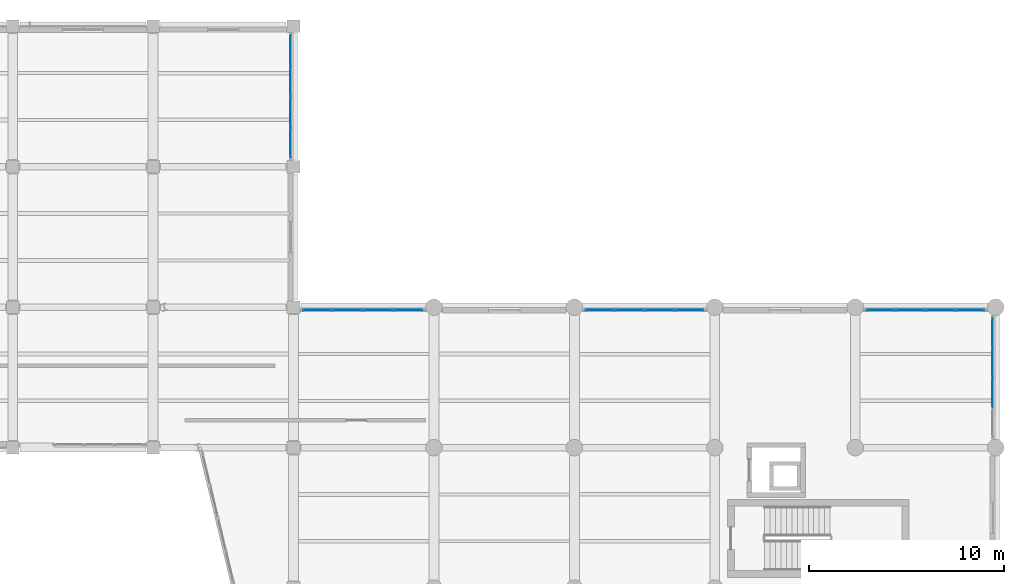
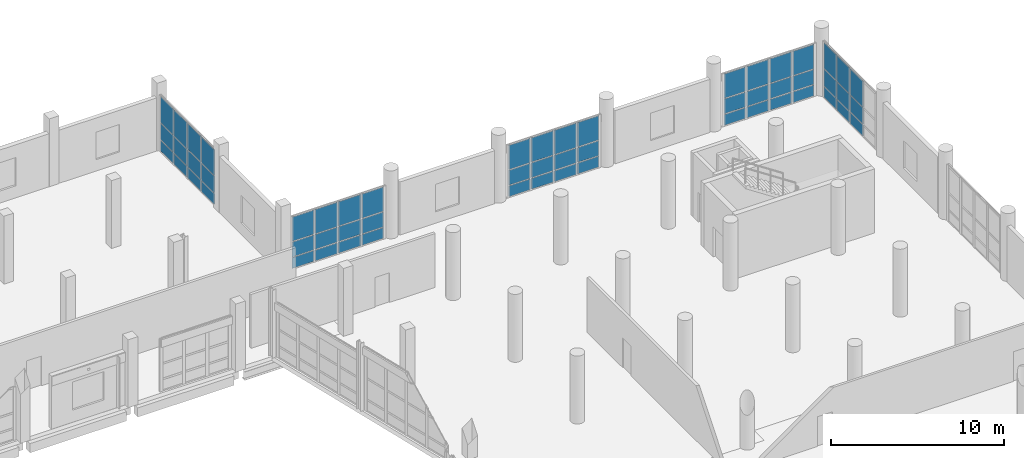
# One storey, part 87 of 127: 57 plates, 5 elements without a shape of their own.
"""IFC4 building model written with IfcOpenShell, lengths in metres."""

from ifc_helpers import new_model, si_unit, direction, frame, origin, origin_2d, place, context, subcontext, project, spatial, rectangle, extrude, material, layer, layer_set, type_object, element, aggregate, save


model = new_model("IFC4")

# Units and contexts
model_context = context("Model", 3, precision=1e-05, world=origin(), true_north=direction((0.0, 1.0)))
body_context = subcontext(model_context, "Body", "Model", "MODEL_VIEW")
ifc_project = project(units=[si_unit("LENGTHUNIT", "METRE"), si_unit("AREAUNIT", "SQUARE_METRE"), si_unit("VOLUMEUNIT", "CUBIC_METRE"), si_unit("PLANEANGLEUNIT", "RADIAN"), si_unit("MASSUNIT", "GRAM", prefix="KILO")], contexts=[model_context])

# Site, building, storey
site_placement = place(None, origin())
site = spatial("IfcSite", under=ifc_project, at=site_placement, CompositionType="ELEMENT")
building_placement = place(site_placement, origin())
building = spatial("IfcBuilding", under=site, at=building_placement, Name="Kalmorath City Hall", CompositionType="ELEMENT")
storey_placement = place(building_placement, frame((0.0, 0.0, 5.39990234375)))
storey = spatial("IfcBuildingStorey", under=building, at=storey_placement, Name="L01", CompositionType="ELEMENT", Elevation=5.39990234375)

# Curtain wall, plates
ifc_material_1 = material(Name="Anodised aluminium and laminated glass", Category="aluminium")
curtain_wall_type_1 = type_object("IfcCurtainWallType", Name="Unitised hurricane curtain wall 6370x3976 M1650", PredefinedType="NOTDEFINED", material=ifc_material_1)
curtain_wall_1_placement = place(storey_placement, origin())
curtain_wall_1 = element("IfcCurtainWall", 1, at=curtain_wall_1_placement, inside=storey, type_object=curtain_wall_type_1, Name="L01 curtain wall CW-64X40M16 #59", PredefinedType="NOTDEFINED")
ifc_material_2 = material(Name="Hurricane laminated low-E glass", Category="glass")
ifc_layer = layer(ifc_material_2, 0.035888671875)
ifc_layer_set = layer_set([ifc_layer], Name="Hurricane laminated low-E glass")
plate_type = type_object("IfcPlateType", Name="Library acoustic low-E glazed panel 36", PredefinedType="CURTAIN_PANEL", material=ifc_layer_set)
plate_1_placement = place(storey_placement, frame((129.43994140625, 113.969970703125, 0.06005859375), z_axis=(0.0, 0.0, 1.0), x_axis=(0.0, -1.0, 0.0)))
plate_1 = element("IfcPlate", 2, at=plate_1_placement, type_object=plate_type, Name="CW-64X40M16 panel 1.1", PredefinedType="CURTAIN_PANEL", context=body_context, shape_type="SweptSolid", body=[
    extrude(rectangle(XDim=1.47998046875, YDim=0.035888671875, at=origin_2d()), origin(), (0.0, 0.0, 1.0), 0.760009765625),
])
plate_2_placement = place(storey_placement, frame((129.43994140625, 113.969970703125, 0.8798828125), z_axis=(0.0, 0.0, 1.0), x_axis=(0.0, -1.0, 0.0)))
plate_2 = element("IfcPlate", 3, at=plate_2_placement, type_object=plate_type, Name="CW-64X40M16 panel 1.2", PredefinedType="CURTAIN_PANEL", context=body_context, shape_type="SweptSolid", body=[
    extrude(rectangle(XDim=1.47998046875, YDim=0.035888671875, at=origin_2d()), origin(), (0.0, 0.0, 1.0), 1.157958984375),
])
plate_3_placement = place(storey_placement, frame((129.43994140625, 113.969970703125, 2.09814453125), z_axis=(0.0, 0.0, 1.0), x_axis=(0.0, -1.0, 0.0)))
plate_3 = element("IfcPlate", 4, at=plate_3_placement, type_object=plate_type, Name="CW-64X40M16 panel 1.3", PredefinedType="CURTAIN_PANEL", context=body_context, shape_type="SweptSolid", body=[
    extrude(rectangle(XDim=1.47998046875, YDim=0.035888671875, at=origin_2d()), origin(), (0.0, 0.0, 1.0), 1.818115234375),
])
plate_4_placement = place(storey_placement, frame((129.43994140625, 112.396240234375, 0.06005859375), z_axis=(0.0, 0.0, 1.0), x_axis=(0.0, -1.0, 0.0)))
plate_4 = element("IfcPlate", 5, at=plate_4_placement, type_object=plate_type, Name="CW-64X40M16 panel 2.1", PredefinedType="CURTAIN_PANEL", context=body_context, shape_type="SweptSolid", body=[
    extrude(rectangle(XDim=1.517578125, YDim=0.035888671875, at=origin_2d()), origin(), (0.0, 0.0, 1.0), 0.760009765625),
])
plate_5_placement = place(storey_placement, frame((129.43994140625, 112.396240234375, 0.8798828125), z_axis=(0.0, 0.0, 1.0), x_axis=(0.0, -1.0, 0.0)))
plate_5 = element("IfcPlate", 6, at=plate_5_placement, type_object=plate_type, Name="CW-64X40M16 panel 2.2", PredefinedType="CURTAIN_PANEL", context=body_context, shape_type="SweptSolid", body=[
    extrude(rectangle(XDim=1.517578125, YDim=0.035888671875, at=origin_2d()), origin(), (0.0, 0.0, 1.0), 1.157958984375),
])
plate_6_placement = place(storey_placement, frame((129.43994140625, 112.396240234375, 2.09814453125), z_axis=(0.0, 0.0, 1.0), x_axis=(0.0, -1.0, 0.0)))
plate_6 = element("IfcPlate", 7, at=plate_6_placement, type_object=plate_type, Name="CW-64X40M16 panel 2.3", PredefinedType="CURTAIN_PANEL", context=body_context, shape_type="SweptSolid", body=[
    extrude(rectangle(XDim=1.517578125, YDim=0.035888671875, at=origin_2d()), origin(), (0.0, 0.0, 1.0), 1.818115234375),
])
plate_7_placement = place(storey_placement, frame((129.43994140625, 110.8037109375, 0.06005859375), z_axis=(0.0, 0.0, 1.0), x_axis=(0.0, -1.0, 0.0)))
plate_7 = element("IfcPlate", 8, at=plate_7_placement, type_object=plate_type, Name="CW-64X40M16 panel 3.1", PredefinedType="CURTAIN_PANEL", context=body_context, shape_type="SweptSolid", body=[
    extrude(rectangle(XDim=1.517578125, YDim=0.035888671875, at=origin_2d()), origin(), (0.0, 0.0, 1.0), 0.760009765625),
])
plate_8_placement = place(storey_placement, frame((129.43994140625, 110.8037109375, 0.8798828125), z_axis=(0.0, 0.0, 1.0), x_axis=(0.0, -1.0, 0.0)))
plate_8 = element("IfcPlate", 9, at=plate_8_placement, type_object=plate_type, Name="CW-64X40M16 panel 3.2", PredefinedType="CURTAIN_PANEL", context=body_context, shape_type="SweptSolid", body=[
    extrude(rectangle(XDim=1.517578125, YDim=0.035888671875, at=origin_2d()), origin(), (0.0, 0.0, 1.0), 1.157958984375),
])
plate_9_placement = place(storey_placement, frame((129.43994140625, 110.8037109375, 2.09814453125), z_axis=(0.0, 0.0, 1.0), x_axis=(0.0, -1.0, 0.0)))
plate_9 = element("IfcPlate", 10, at=plate_9_placement, type_object=plate_type, Name="CW-64X40M16 panel 3.3", PredefinedType="CURTAIN_PANEL", context=body_context, shape_type="SweptSolid", body=[
    extrude(rectangle(XDim=1.517578125, YDim=0.035888671875, at=origin_2d()), origin(), (0.0, 0.0, 1.0), 1.818115234375),
])
plate_10_placement = place(storey_placement, frame((129.43994140625, 109.22998046875, 0.06005859375), z_axis=(0.0, 0.0, 1.0), x_axis=(0.0, -1.0, 0.0)))
plate_10 = element("IfcPlate", 11, at=plate_10_placement, type_object=plate_type, Name="CW-64X40M16 panel 4.1", PredefinedType="CURTAIN_PANEL", context=body_context, shape_type="SweptSolid", body=[
    extrude(rectangle(XDim=1.47998046875, YDim=0.035888671875, at=origin_2d()), origin(), (0.0, 0.0, 1.0), 0.760009765625),
])
plate_11_placement = place(storey_placement, frame((129.43994140625, 109.22998046875, 0.8798828125), z_axis=(0.0, 0.0, 1.0), x_axis=(0.0, -1.0, 0.0)))
plate_11 = element("IfcPlate", 12, at=plate_11_placement, type_object=plate_type, Name="CW-64X40M16 panel 4.2", PredefinedType="CURTAIN_PANEL", context=body_context, shape_type="SweptSolid", body=[
    extrude(rectangle(XDim=1.47998046875, YDim=0.035888671875, at=origin_2d()), origin(), (0.0, 0.0, 1.0), 1.157958984375),
])
plate_12_placement = place(storey_placement, frame((129.43994140625, 109.22998046875, 2.09814453125), z_axis=(0.0, 0.0, 1.0), x_axis=(0.0, -1.0, 0.0)))
plate_12 = element("IfcPlate", 13, at=plate_12_placement, type_object=plate_type, Name="CW-64X40M16 panel 4.3", PredefinedType="CURTAIN_PANEL", context=body_context, shape_type="SweptSolid", body=[
    extrude(rectangle(XDim=1.47998046875, YDim=0.035888671875, at=origin_2d()), origin(), (0.0, 0.0, 1.0), 1.818115234375),
])
aggregate(curtain_wall_1, [plate_1, plate_2, plate_3, plate_4, plate_5, plate_6, plate_7, plate_8, plate_9, plate_10, plate_11, plate_12])

ifc_material_3 = material(Name="Anodised aluminium and laminated glass", Category="aluminium")
curtain_wall_type_2 = type_object("IfcCurtainWallType", Name="Unitised hurricane curtain wall 6270x3751 M1650", PredefinedType="NOTDEFINED", material=ifc_material_3)
curtain_wall_2_placement = place(storey_placement, origin())
curtain_wall_2 = element("IfcCurtainWall", 14, at=curtain_wall_2_placement, inside=storey, type_object=curtain_wall_type_2, Name="L01 curtain wall CW-63X38M16 #60", PredefinedType="NOTDEFINED")
plate_13_placement = place(storey_placement, frame((130.8173828125, 100.639892578125, 0.06005859375), z_axis=(0.0, 0.0, 1.0), x_axis=(1.0, 0.0, 0.0)))
plate_13 = element("IfcPlate", 15, at=plate_13_placement, type_object=plate_type, Name="CW-63X38M16 panel 1.1", PredefinedType="CURTAIN_PANEL", context=body_context, shape_type="SweptSolid", body=[
    extrude(rectangle(XDim=1.455078125, YDim=0.035888671875, at=origin_2d()), origin(), (0.0, 0.0, 1.0), 0.760009765625),
])
plate_14_placement = place(storey_placement, frame((130.8173828125, 100.639892578125, 0.880126953125), z_axis=(0.0, 0.0, 1.0), x_axis=(1.0, 0.0, 0.0)))
plate_14 = element("IfcPlate", 16, at=plate_14_placement, type_object=plate_type, Name="CW-63X38M16 panel 1.2", PredefinedType="CURTAIN_PANEL", context=body_context, shape_type="SweptSolid", body=[
    extrude(rectangle(XDim=1.455078125, YDim=0.035888671875, at=origin_2d()), origin(), (0.0, 0.0, 1.0), 1.041015625),
])
plate_15_placement = place(storey_placement, frame((130.8173828125, 100.639892578125, 1.981201171875), z_axis=(0.0, 0.0, 1.0), x_axis=(1.0, 0.0, 0.0)))
plate_15 = element("IfcPlate", 17, at=plate_15_placement, type_object=plate_type, Name="CW-63X38M16 panel 1.3", PredefinedType="CURTAIN_PANEL", context=body_context, shape_type="SweptSolid", body=[
    extrude(rectangle(XDim=1.455078125, YDim=0.035888671875, at=origin_2d()), origin(), (0.0, 0.0, 1.0), 1.7099609375),
])
plate_16_placement = place(storey_placement, frame((132.3662109375, 100.639892578125, 0.06005859375), z_axis=(0.0, 0.0, 1.0), x_axis=(1.0, 0.0, 0.0)))
plate_16 = element("IfcPlate", 18, at=plate_16_placement, type_object=plate_type, Name="CW-63X38M16 panel 2.1", PredefinedType="CURTAIN_PANEL", context=body_context, shape_type="SweptSolid", body=[
    extrude(rectangle(XDim=1.492431640625, YDim=0.035888671875, at=origin_2d()), origin(), (0.0, 0.0, 1.0), 0.760009765625),
])
plate_17_placement = place(storey_placement, frame((132.3662109375, 100.639892578125, 0.880126953125), z_axis=(0.0, 0.0, 1.0), x_axis=(1.0, 0.0, 0.0)))
plate_17 = element("IfcPlate", 19, at=plate_17_placement, type_object=plate_type, Name="CW-63X38M16 panel 2.2", PredefinedType="CURTAIN_PANEL", context=body_context, shape_type="SweptSolid", body=[
    extrude(rectangle(XDim=1.492431640625, YDim=0.035888671875, at=origin_2d()), origin(), (0.0, 0.0, 1.0), 1.041015625),
])
plate_18_placement = place(storey_placement, frame((132.3662109375, 100.639892578125, 1.981201171875), z_axis=(0.0, 0.0, 1.0), x_axis=(1.0, 0.0, 0.0)))
plate_18 = element("IfcPlate", 20, at=plate_18_placement, type_object=plate_type, Name="CW-63X38M16 panel 2.3", PredefinedType="CURTAIN_PANEL", context=body_context, shape_type="SweptSolid", body=[
    extrude(rectangle(XDim=1.492431640625, YDim=0.035888671875, at=origin_2d()), origin(), (0.0, 0.0, 1.0), 1.7099609375),
])
plate_19_placement = place(storey_placement, frame((133.933837890625, 100.639892578125, 0.06005859375), z_axis=(0.0, 0.0, 1.0), x_axis=(1.0, 0.0, 0.0)))
plate_19 = element("IfcPlate", 21, at=plate_19_placement, type_object=plate_type, Name="CW-63X38M16 panel 3.1", PredefinedType="CURTAIN_PANEL", context=body_context, shape_type="SweptSolid", body=[
    extrude(rectangle(XDim=1.492431640625, YDim=0.035888671875, at=origin_2d()), origin(), (0.0, 0.0, 1.0), 0.760009765625),
])
plate_20_placement = place(storey_placement, frame((133.933837890625, 100.639892578125, 0.880126953125), z_axis=(0.0, 0.0, 1.0), x_axis=(1.0, 0.0, 0.0)))
plate_20 = element("IfcPlate", 22, at=plate_20_placement, type_object=plate_type, Name="CW-63X38M16 panel 3.2", PredefinedType="CURTAIN_PANEL", context=body_context, shape_type="SweptSolid", body=[
    extrude(rectangle(XDim=1.492431640625, YDim=0.035888671875, at=origin_2d()), origin(), (0.0, 0.0, 1.0), 1.041015625),
])
plate_21_placement = place(storey_placement, frame((133.933837890625, 100.639892578125, 1.981201171875), z_axis=(0.0, 0.0, 1.0), x_axis=(1.0, 0.0, 0.0)))
plate_21 = element("IfcPlate", 23, at=plate_21_placement, type_object=plate_type, Name="CW-63X38M16 panel 3.3", PredefinedType="CURTAIN_PANEL", context=body_context, shape_type="SweptSolid", body=[
    extrude(rectangle(XDim=1.492431640625, YDim=0.035888671875, at=origin_2d()), origin(), (0.0, 0.0, 1.0), 1.7099609375),
])
plate_22_placement = place(storey_placement, frame((135.482421875, 100.639892578125, 0.06005859375), z_axis=(0.0, 0.0, 1.0), x_axis=(1.0, 0.0, 0.0)))
plate_22 = element("IfcPlate", 24, at=plate_22_placement, type_object=plate_type, Name="CW-63X38M16 panel 4.1", PredefinedType="CURTAIN_PANEL", context=body_context, shape_type="SweptSolid", body=[
    extrude(rectangle(XDim=1.455078125, YDim=0.035888671875, at=origin_2d()), origin(), (0.0, 0.0, 1.0), 0.760009765625),
])
plate_23_placement = place(storey_placement, frame((135.482421875, 100.639892578125, 0.880126953125), z_axis=(0.0, 0.0, 1.0), x_axis=(1.0, 0.0, 0.0)))
plate_23 = element("IfcPlate", 25, at=plate_23_placement, type_object=plate_type, Name="CW-63X38M16 panel 4.2", PredefinedType="CURTAIN_PANEL", context=body_context, shape_type="SweptSolid", body=[
    extrude(rectangle(XDim=1.455078125, YDim=0.035888671875, at=origin_2d()), origin(), (0.0, 0.0, 1.0), 1.041015625),
])
plate_24_placement = place(storey_placement, frame((135.482421875, 100.639892578125, 1.981201171875), z_axis=(0.0, 0.0, 1.0), x_axis=(1.0, 0.0, 0.0)))
plate_24 = element("IfcPlate", 26, at=plate_24_placement, type_object=plate_type, Name="CW-63X38M16 panel 4.3", PredefinedType="CURTAIN_PANEL", context=body_context, shape_type="SweptSolid", body=[
    extrude(rectangle(XDim=1.455078125, YDim=0.035888671875, at=origin_2d()), origin(), (0.0, 0.0, 1.0), 1.7099609375),
])
aggregate(curtain_wall_2, [plate_13, plate_14, plate_15, plate_16, plate_17, plate_18, plate_19, plate_20, plate_21, plate_22, plate_23, plate_24])

ifc_material_4 = material(Name="Anodised aluminium and laminated glass", Category="aluminium")
curtain_wall_type_3 = type_object("IfcCurtainWallType", Name="Unitised hurricane curtain wall 6170x3751 M1650", PredefinedType="NOTDEFINED", material=ifc_material_4)
curtain_wall_3_placement = place(storey_placement, origin())
curtain_wall_3 = element("IfcCurtainWall", 27, at=curtain_wall_3_placement, inside=storey, type_object=curtain_wall_type_3, Name="L01 curtain wall CW-62X38M16 #61", PredefinedType="NOTDEFINED")
plate_25_placement = place(storey_placement, frame((145.304931640625, 100.639892578125, 0.06005859375), z_axis=(0.0, 0.0, 1.0), x_axis=(1.0, 0.0, 0.0)))
plate_25 = element("IfcPlate", 28, at=plate_25_placement, type_object=plate_type, Name="CW-62X38M16 panel 1.1", PredefinedType="CURTAIN_PANEL", context=body_context, shape_type="SweptSolid", body=[
    extrude(rectangle(XDim=1.429931640625, YDim=0.035888671875, at=origin_2d()), origin(), (0.0, 0.0, 1.0), 0.760009765625),
])
plate_26_placement = place(storey_placement, frame((145.304931640625, 100.639892578125, 0.880126953125), z_axis=(0.0, 0.0, 1.0), x_axis=(1.0, 0.0, 0.0)))
plate_26 = element("IfcPlate", 29, at=plate_26_placement, type_object=plate_type, Name="CW-62X38M16 panel 1.2", PredefinedType="CURTAIN_PANEL", context=body_context, shape_type="SweptSolid", body=[
    extrude(rectangle(XDim=1.429931640625, YDim=0.035888671875, at=origin_2d()), origin(), (0.0, 0.0, 1.0), 1.041015625),
])
plate_27_placement = place(storey_placement, frame((145.304931640625, 100.639892578125, 1.981201171875), z_axis=(0.0, 0.0, 1.0), x_axis=(1.0, 0.0, 0.0)))
plate_27 = element("IfcPlate", 30, at=plate_27_placement, type_object=plate_type, Name="CW-62X38M16 panel 1.3", PredefinedType="CURTAIN_PANEL", context=body_context, shape_type="SweptSolid", body=[
    extrude(rectangle(XDim=1.429931640625, YDim=0.035888671875, at=origin_2d()), origin(), (0.0, 0.0, 1.0), 1.7099609375),
])
plate_28_placement = place(storey_placement, frame((146.828857421875, 100.639892578125, 0.06005859375), z_axis=(0.0, 0.0, 1.0), x_axis=(1.0, 0.0, 0.0)))
plate_28 = element("IfcPlate", 31, at=plate_28_placement, type_object=plate_type, Name="CW-62X38M16 panel 2.1", PredefinedType="CURTAIN_PANEL", context=body_context, shape_type="SweptSolid", body=[
    extrude(rectangle(XDim=1.467529296875, YDim=0.035888671875, at=origin_2d()), origin(), (0.0, 0.0, 1.0), 0.760009765625),
])
plate_29_placement = place(storey_placement, frame((146.828857421875, 100.639892578125, 0.880126953125), z_axis=(0.0, 0.0, 1.0), x_axis=(1.0, 0.0, 0.0)))
plate_29 = element("IfcPlate", 32, at=plate_29_placement, type_object=plate_type, Name="CW-62X38M16 panel 2.2", PredefinedType="CURTAIN_PANEL", context=body_context, shape_type="SweptSolid", body=[
    extrude(rectangle(XDim=1.467529296875, YDim=0.035888671875, at=origin_2d()), origin(), (0.0, 0.0, 1.0), 1.041015625),
])
plate_30_placement = place(storey_placement, frame((146.828857421875, 100.639892578125, 1.981201171875), z_axis=(0.0, 0.0, 1.0), x_axis=(1.0, 0.0, 0.0)))
plate_30 = element("IfcPlate", 33, at=plate_30_placement, type_object=plate_type, Name="CW-62X38M16 panel 2.3", PredefinedType="CURTAIN_PANEL", context=body_context, shape_type="SweptSolid", body=[
    extrude(rectangle(XDim=1.467529296875, YDim=0.035888671875, at=origin_2d()), origin(), (0.0, 0.0, 1.0), 1.7099609375),
])
plate_31_placement = place(storey_placement, frame((148.371337890625, 100.639892578125, 0.06005859375), z_axis=(0.0, 0.0, 1.0), x_axis=(1.0, 0.0, 0.0)))
plate_31 = element("IfcPlate", 34, at=plate_31_placement, type_object=plate_type, Name="CW-62X38M16 panel 3.1", PredefinedType="CURTAIN_PANEL", context=body_context, shape_type="SweptSolid", body=[
    extrude(rectangle(XDim=1.467529296875, YDim=0.035888671875, at=origin_2d()), origin(), (0.0, 0.0, 1.0), 0.760009765625),
])
plate_32_placement = place(storey_placement, frame((148.371337890625, 100.639892578125, 0.880126953125), z_axis=(0.0, 0.0, 1.0), x_axis=(1.0, 0.0, 0.0)))
plate_32 = element("IfcPlate", 35, at=plate_32_placement, type_object=plate_type, Name="CW-62X38M16 panel 3.2", PredefinedType="CURTAIN_PANEL", context=body_context, shape_type="SweptSolid", body=[
    extrude(rectangle(XDim=1.467529296875, YDim=0.035888671875, at=origin_2d()), origin(), (0.0, 0.0, 1.0), 1.041015625),
])
plate_33_placement = place(storey_placement, frame((148.371337890625, 100.639892578125, 1.981201171875), z_axis=(0.0, 0.0, 1.0), x_axis=(1.0, 0.0, 0.0)))
plate_33 = element("IfcPlate", 36, at=plate_33_placement, type_object=plate_type, Name="CW-62X38M16 panel 3.3", PredefinedType="CURTAIN_PANEL", context=body_context, shape_type="SweptSolid", body=[
    extrude(rectangle(XDim=1.467529296875, YDim=0.035888671875, at=origin_2d()), origin(), (0.0, 0.0, 1.0), 1.7099609375),
])
plate_34_placement = place(storey_placement, frame((149.89501953125, 100.639892578125, 0.06005859375), z_axis=(0.0, 0.0, 1.0), x_axis=(1.0, 0.0, 0.0)))
plate_34 = element("IfcPlate", 37, at=plate_34_placement, type_object=plate_type, Name="CW-62X38M16 panel 4.1", PredefinedType="CURTAIN_PANEL", context=body_context, shape_type="SweptSolid", body=[
    extrude(rectangle(XDim=1.429931640625, YDim=0.035888671875, at=origin_2d()), origin(), (0.0, 0.0, 1.0), 0.760009765625),
])
plate_35_placement = place(storey_placement, frame((149.89501953125, 100.639892578125, 0.880126953125), z_axis=(0.0, 0.0, 1.0), x_axis=(1.0, 0.0, 0.0)))
plate_35 = element("IfcPlate", 38, at=plate_35_placement, type_object=plate_type, Name="CW-62X38M16 panel 4.2", PredefinedType="CURTAIN_PANEL", context=body_context, shape_type="SweptSolid", body=[
    extrude(rectangle(XDim=1.429931640625, YDim=0.035888671875, at=origin_2d()), origin(), (0.0, 0.0, 1.0), 1.041015625),
])
plate_36_placement = place(storey_placement, frame((149.89501953125, 100.639892578125, 1.981201171875), z_axis=(0.0, 0.0, 1.0), x_axis=(1.0, 0.0, 0.0)))
plate_36 = element("IfcPlate", 39, at=plate_36_placement, type_object=plate_type, Name="CW-62X38M16 panel 4.3", PredefinedType="CURTAIN_PANEL", context=body_context, shape_type="SweptSolid", body=[
    extrude(rectangle(XDim=1.429931640625, YDim=0.035888671875, at=origin_2d()), origin(), (0.0, 0.0, 1.0), 1.7099609375),
])
aggregate(curtain_wall_3, [plate_25, plate_26, plate_27, plate_28, plate_29, plate_30, plate_31, plate_32, plate_33, plate_34, plate_35, plate_36])

curtain_wall_4_placement = place(storey_placement, origin())
curtain_wall_4 = element("IfcCurtainWall", 40, at=curtain_wall_4_placement, inside=storey, type_object=curtain_wall_type_3, Name="L01 curtain wall CW-62X38M16 #62", PredefinedType="NOTDEFINED")
plate_37_placement = place(storey_placement, frame((159.705078125, 100.639892578125, 0.06005859375), z_axis=(0.0, 0.0, 1.0), x_axis=(1.0, 0.0, 0.0)))
plate_37 = element("IfcPlate", 41, at=plate_37_placement, type_object=plate_type, Name="CW-62X38M16 panel 1.1", PredefinedType="CURTAIN_PANEL", context=body_context, shape_type="SweptSolid", body=[
    extrude(rectangle(XDim=1.429931640625, YDim=0.035888671875, at=origin_2d()), origin(), (0.0, 0.0, 1.0), 0.760009765625),
])
plate_38_placement = place(storey_placement, frame((159.705078125, 100.639892578125, 0.880126953125), z_axis=(0.0, 0.0, 1.0), x_axis=(1.0, 0.0, 0.0)))
plate_38 = element("IfcPlate", 42, at=plate_38_placement, type_object=plate_type, Name="CW-62X38M16 panel 1.2", PredefinedType="CURTAIN_PANEL", context=body_context, shape_type="SweptSolid", body=[
    extrude(rectangle(XDim=1.429931640625, YDim=0.035888671875, at=origin_2d()), origin(), (0.0, 0.0, 1.0), 1.041015625),
])
plate_39_placement = place(storey_placement, frame((159.705078125, 100.639892578125, 1.981201171875), z_axis=(0.0, 0.0, 1.0), x_axis=(1.0, 0.0, 0.0)))
plate_39 = element("IfcPlate", 43, at=plate_39_placement, type_object=plate_type, Name="CW-62X38M16 panel 1.3", PredefinedType="CURTAIN_PANEL", context=body_context, shape_type="SweptSolid", body=[
    extrude(rectangle(XDim=1.429931640625, YDim=0.035888671875, at=origin_2d()), origin(), (0.0, 0.0, 1.0), 1.7099609375),
])
plate_40_placement = place(storey_placement, frame((161.228759765625, 100.639892578125, 0.06005859375), z_axis=(0.0, 0.0, 1.0), x_axis=(1.0, 0.0, 0.0)))
plate_40 = element("IfcPlate", 44, at=plate_40_placement, type_object=plate_type, Name="CW-62X38M16 panel 2.1", PredefinedType="CURTAIN_PANEL", context=body_context, shape_type="SweptSolid", body=[
    extrude(rectangle(XDim=1.467529296875, YDim=0.035888671875, at=origin_2d()), origin(), (0.0, 0.0, 1.0), 0.760009765625),
])
plate_41_placement = place(storey_placement, frame((161.228759765625, 100.639892578125, 0.880126953125), z_axis=(0.0, 0.0, 1.0), x_axis=(1.0, 0.0, 0.0)))
plate_41 = element("IfcPlate", 45, at=plate_41_placement, type_object=plate_type, Name="CW-62X38M16 panel 2.2", PredefinedType="CURTAIN_PANEL", context=body_context, shape_type="SweptSolid", body=[
    extrude(rectangle(XDim=1.467529296875, YDim=0.035888671875, at=origin_2d()), origin(), (0.0, 0.0, 1.0), 1.041015625),
])
plate_42_placement = place(storey_placement, frame((161.228759765625, 100.639892578125, 1.981201171875), z_axis=(0.0, 0.0, 1.0), x_axis=(1.0, 0.0, 0.0)))
plate_42 = element("IfcPlate", 46, at=plate_42_placement, type_object=plate_type, Name="CW-62X38M16 panel 2.3", PredefinedType="CURTAIN_PANEL", context=body_context, shape_type="SweptSolid", body=[
    extrude(rectangle(XDim=1.467529296875, YDim=0.035888671875, at=origin_2d()), origin(), (0.0, 0.0, 1.0), 1.7099609375),
])
plate_43_placement = place(storey_placement, frame((162.771240234375, 100.639892578125, 0.06005859375), z_axis=(0.0, 0.0, 1.0), x_axis=(1.0, 0.0, 0.0)))
plate_43 = element("IfcPlate", 47, at=plate_43_placement, type_object=plate_type, Name="CW-62X38M16 panel 3.1", PredefinedType="CURTAIN_PANEL", context=body_context, shape_type="SweptSolid", body=[
    extrude(rectangle(XDim=1.467529296875, YDim=0.035888671875, at=origin_2d()), origin(), (0.0, 0.0, 1.0), 0.760009765625),
])
plate_44_placement = place(storey_placement, frame((162.771240234375, 100.639892578125, 0.880126953125), z_axis=(0.0, 0.0, 1.0), x_axis=(1.0, 0.0, 0.0)))
plate_44 = element("IfcPlate", 48, at=plate_44_placement, type_object=plate_type, Name="CW-62X38M16 panel 3.2", PredefinedType="CURTAIN_PANEL", context=body_context, shape_type="SweptSolid", body=[
    extrude(rectangle(XDim=1.467529296875, YDim=0.035888671875, at=origin_2d()), origin(), (0.0, 0.0, 1.0), 1.041015625),
])
plate_45_placement = place(storey_placement, frame((162.771240234375, 100.639892578125, 1.981201171875), z_axis=(0.0, 0.0, 1.0), x_axis=(1.0, 0.0, 0.0)))
plate_45 = element("IfcPlate", 49, at=plate_45_placement, type_object=plate_type, Name="CW-62X38M16 panel 3.3", PredefinedType="CURTAIN_PANEL", context=body_context, shape_type="SweptSolid", body=[
    extrude(rectangle(XDim=1.467529296875, YDim=0.035888671875, at=origin_2d()), origin(), (0.0, 0.0, 1.0), 1.7099609375),
])
plate_46_placement = place(storey_placement, frame((164.294921875, 100.639892578125, 0.06005859375), z_axis=(0.0, 0.0, 1.0), x_axis=(1.0, 0.0, 0.0)))
plate_46 = element("IfcPlate", 50, at=plate_46_placement, type_object=plate_type, Name="CW-62X38M16 panel 4.1", PredefinedType="CURTAIN_PANEL", context=body_context, shape_type="SweptSolid", body=[
    extrude(rectangle(XDim=1.429931640625, YDim=0.035888671875, at=origin_2d()), origin(), (0.0, 0.0, 1.0), 0.760009765625),
])
plate_47_placement = place(storey_placement, frame((164.294921875, 100.639892578125, 0.880126953125), z_axis=(0.0, 0.0, 1.0), x_axis=(1.0, 0.0, 0.0)))
plate_47 = element("IfcPlate", 51, at=plate_47_placement, type_object=plate_type, Name="CW-62X38M16 panel 4.2", PredefinedType="CURTAIN_PANEL", context=body_context, shape_type="SweptSolid", body=[
    extrude(rectangle(XDim=1.429931640625, YDim=0.035888671875, at=origin_2d()), origin(), (0.0, 0.0, 1.0), 1.041015625),
])
plate_48_placement = place(storey_placement, frame((164.294921875, 100.639892578125, 1.981201171875), z_axis=(0.0, 0.0, 1.0), x_axis=(1.0, 0.0, 0.0)))
plate_48 = element("IfcPlate", 52, at=plate_48_placement, type_object=plate_type, Name="CW-62X38M16 panel 4.3", PredefinedType="CURTAIN_PANEL", context=body_context, shape_type="SweptSolid", body=[
    extrude(rectangle(XDim=1.429931640625, YDim=0.035888671875, at=origin_2d()), origin(), (0.0, 0.0, 1.0), 1.7099609375),
])
aggregate(curtain_wall_4, [plate_37, plate_38, plate_39, plate_40, plate_41, plate_42, plate_43, plate_44, plate_45, plate_46, plate_47, plate_48])

ifc_material_5 = material(Name="Anodised aluminium and laminated glass", Category="aluminium")
curtain_wall_type_4 = type_object("IfcCurtainWallType", Name="Unitised hurricane curtain wall 6170x3976 M1650", PredefinedType="NOTDEFINED", material=ifc_material_5)
curtain_wall_5_placement = place(storey_placement, origin())
curtain_wall_5 = element("IfcCurtainWall", 53, at=curtain_wall_5_placement, inside=storey, type_object=curtain_wall_type_4, Name="L01 curtain wall CW-62X40M16 #63", PredefinedType="NOTDEFINED")
plate_49_placement = place(storey_placement, frame((165.43994140625, 99.4951171875, 0.06005859375), z_axis=(0.0, 0.0, 1.0), x_axis=(0.0, -1.0, 0.0)))
plate_49 = element("IfcPlate", 54, at=plate_49_placement, type_object=plate_type, Name="CW-62X40M16 panel 1.1", PredefinedType="CURTAIN_PANEL", context=body_context, shape_type="SweptSolid", body=[
    extrude(rectangle(XDim=1.429931640625, YDim=0.035888671875, at=origin_2d()), origin(), (0.0, 0.0, 1.0), 0.760009765625),
])
plate_50_placement = place(storey_placement, frame((165.43994140625, 99.4951171875, 0.8798828125), z_axis=(0.0, 0.0, 1.0), x_axis=(0.0, -1.0, 0.0)))
plate_50 = element("IfcPlate", 55, at=plate_50_placement, type_object=plate_type, Name="CW-62X40M16 panel 1.2", PredefinedType="CURTAIN_PANEL", context=body_context, shape_type="SweptSolid", body=[
    extrude(rectangle(XDim=1.429931640625, YDim=0.035888671875, at=origin_2d()), origin(), (0.0, 0.0, 1.0), 1.157958984375),
])
plate_51_placement = place(storey_placement, frame((165.43994140625, 99.4951171875, 2.09814453125), z_axis=(0.0, 0.0, 1.0), x_axis=(0.0, -1.0, 0.0)))
plate_51 = element("IfcPlate", 56, at=plate_51_placement, type_object=plate_type, Name="CW-62X40M16 panel 1.3", PredefinedType="CURTAIN_PANEL", context=body_context, shape_type="SweptSolid", body=[
    extrude(rectangle(XDim=1.429931640625, YDim=0.035888671875, at=origin_2d()), origin(), (0.0, 0.0, 1.0), 1.818115234375),
])
plate_52_placement = place(storey_placement, frame((165.43994140625, 97.97119140625, 0.06005859375), z_axis=(0.0, 0.0, 1.0), x_axis=(0.0, -1.0, 0.0)))
plate_52 = element("IfcPlate", 57, at=plate_52_placement, type_object=plate_type, Name="CW-62X40M16 panel 2.1", PredefinedType="CURTAIN_PANEL", context=body_context, shape_type="SweptSolid", body=[
    extrude(rectangle(XDim=1.467529296875, YDim=0.035888671875, at=origin_2d()), origin(), (0.0, 0.0, 1.0), 0.760009765625),
])
plate_53_placement = place(storey_placement, frame((165.43994140625, 97.97119140625, 0.8798828125), z_axis=(0.0, 0.0, 1.0), x_axis=(0.0, -1.0, 0.0)))
plate_53 = element("IfcPlate", 58, at=plate_53_placement, type_object=plate_type, Name="CW-62X40M16 panel 2.2", PredefinedType="CURTAIN_PANEL", context=body_context, shape_type="SweptSolid", body=[
    extrude(rectangle(XDim=1.467529296875, YDim=0.035888671875, at=origin_2d()), origin(), (0.0, 0.0, 1.0), 1.157958984375),
])
plate_54_placement = place(storey_placement, frame((165.43994140625, 97.97119140625, 2.09814453125), z_axis=(0.0, 0.0, 1.0), x_axis=(0.0, -1.0, 0.0)))
plate_54 = element("IfcPlate", 59, at=plate_54_placement, type_object=plate_type, Name="CW-62X40M16 panel 2.3", PredefinedType="CURTAIN_PANEL", context=body_context, shape_type="SweptSolid", body=[
    extrude(rectangle(XDim=1.467529296875, YDim=0.035888671875, at=origin_2d()), origin(), (0.0, 0.0, 1.0), 1.818115234375),
])
plate_55_placement = place(storey_placement, frame((165.43994140625, 96.4287109375, 0.06005859375), z_axis=(0.0, 0.0, 1.0), x_axis=(0.0, -1.0, 0.0)))
plate_55 = element("IfcPlate", 60, at=plate_55_placement, type_object=plate_type, Name="CW-62X40M16 panel 3.1", PredefinedType="CURTAIN_PANEL", context=body_context, shape_type="SweptSolid", body=[
    extrude(rectangle(XDim=1.467529296875, YDim=0.035888671875, at=origin_2d()), origin(), (0.0, 0.0, 1.0), 0.760009765625),
])
plate_56_placement = place(storey_placement, frame((165.43994140625, 96.4287109375, 0.8798828125), z_axis=(0.0, 0.0, 1.0), x_axis=(0.0, -1.0, 0.0)))
plate_56 = element("IfcPlate", 61, at=plate_56_placement, type_object=plate_type, Name="CW-62X40M16 panel 3.2", PredefinedType="CURTAIN_PANEL", context=body_context, shape_type="SweptSolid", body=[
    extrude(rectangle(XDim=1.467529296875, YDim=0.035888671875, at=origin_2d()), origin(), (0.0, 0.0, 1.0), 1.157958984375),
])
plate_57_placement = place(storey_placement, frame((165.43994140625, 96.4287109375, 2.09814453125), z_axis=(0.0, 0.0, 1.0), x_axis=(0.0, -1.0, 0.0)))
plate_57 = element("IfcPlate", 62, at=plate_57_placement, type_object=plate_type, Name="CW-62X40M16 panel 3.3", PredefinedType="CURTAIN_PANEL", context=body_context, shape_type="SweptSolid", body=[
    extrude(rectangle(XDim=1.467529296875, YDim=0.035888671875, at=origin_2d()), origin(), (0.0, 0.0, 1.0), 1.818115234375),
])
aggregate(curtain_wall_5, [plate_49, plate_50, plate_51, plate_52, plate_53, plate_54, plate_55, plate_56, plate_57])

save(model, "model.ifc")
